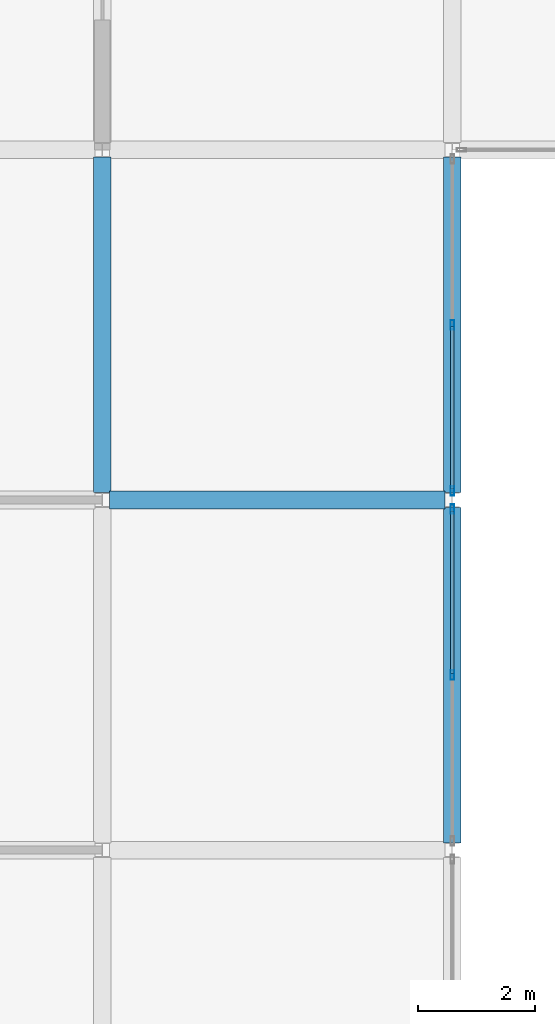
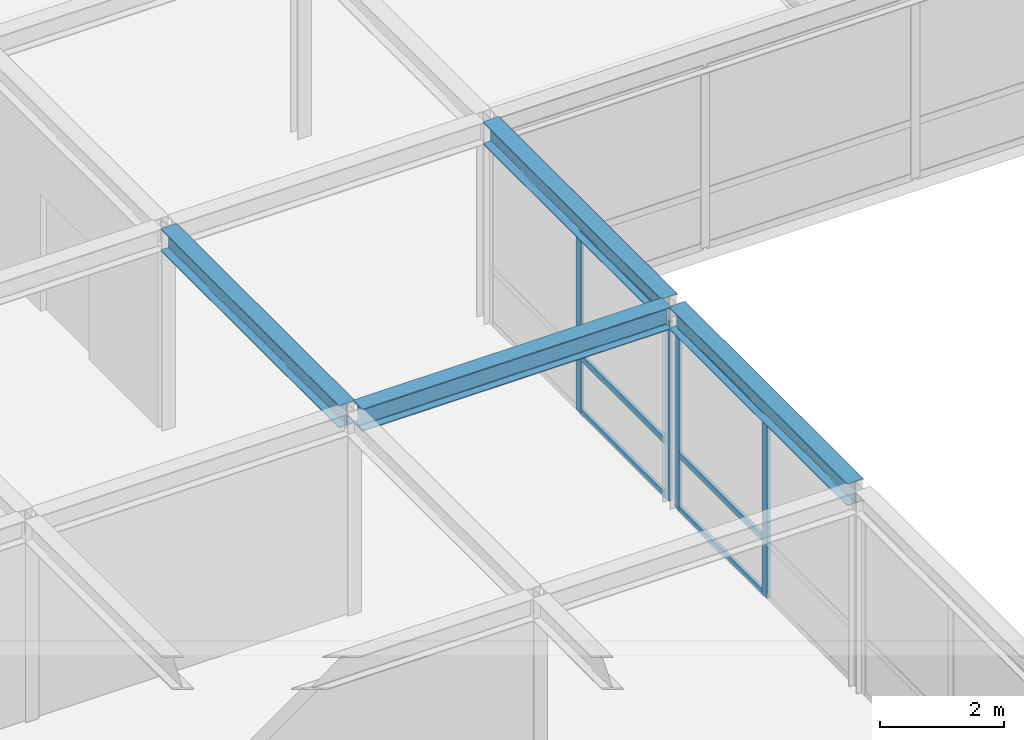
# One storey, part 69 of 111: 10 members, 4 beams, 2 elements without a shape of their own.
"""IFC4 building model written with IfcOpenShell, lengths in metres."""

from ifc_helpers import new_model, si_unit, direction, frame, origin, origin_2d, place, context, subcontext, project, spatial, hollow_rectangle, i_section, extrude, material, layer, layer_set, material_profile, profile_set, type_object, element, aggregate, save


model = new_model("IFC4")

# Units and contexts
model_context = context("Model", 3, precision=1e-05, world=origin(), true_north=direction((0.0, 1.0)))
body_context = subcontext(model_context, "Body", "Model", "MODEL_VIEW")
ifc_project = project(units=[si_unit("LENGTHUNIT", "METRE"), si_unit("AREAUNIT", "SQUARE_METRE"), si_unit("VOLUMEUNIT", "CUBIC_METRE"), si_unit("PLANEANGLEUNIT", "RADIAN"), si_unit("MASSUNIT", "GRAM", prefix="KILO")], contexts=[model_context])

# Site, building, storey
site_placement = place(None, origin())
site = spatial("IfcSite", under=ifc_project, at=site_placement, CompositionType="ELEMENT")
building_placement = place(site_placement, origin())
building = spatial("IfcBuilding", under=site, at=building_placement, Name="Zlatovratsky Civic Hall", CompositionType="ELEMENT")
storey_placement = place(building_placement, frame((0.0, 0.0, 16.5)))
storey = spatial("IfcBuildingStorey", under=building, at=storey_placement, Name="L04", CompositionType="ELEMENT", Elevation=16.5)

# Beams
ifc_material_1 = material(Name="Steel S355", Category="steel")
ifc_material_profile_1 = material_profile(ifc_material_1, i_section(OverallWidth=0.300048828125, OverallDepth=0.43994140625, WebThickness=0.010986328125, FlangeThickness=0.01806640625, FilletRadius=0.02197265625, at=origin_2d()), Name="45Sh1")
ifc_profile_set_1 = profile_set([ifc_material_profile_1], Name="Steel S355")
beam_type = type_object("IfcBeamType", Name="Beam_TowerLow_45Sh1", PredefinedType="BEAM", material=ifc_profile_set_1)
for number, where, z_axis, x_axis, name in (
    (1, (114.125, 60.0, 3.780029296875), (1.0, 0.0, 0.0), (0.0, 1.0, 0.0), "BM-3327"),
    (2, (114.0, 60.125, 3.780029296875), (0.0, 1.0, 0.0), (-1.0, 0.0, 0.0), "BM-3730"),
    (3, (120.0, 54.125, 3.780029296875), (0.0, 1.0, 0.0), (-1.0, 0.0, 0.0), "BM-3746"),
    (4, (120.0, 60.125, 3.780029296875), (0.0, 1.0, 0.0), (-1.0, 0.0, 0.0), "BM-3747"),
):
    element("IfcBeam", number, at=place(storey_placement, frame(where, z_axis=z_axis, x_axis=x_axis)), inside=storey, type_object=beam_type, Name=name, PredefinedType="BEAM", context=body_context, shape_type="SweptSolid", body=[
        extrude(i_section(OverallWidth=0.300048828125, OverallDepth=0.43994140625, WebThickness=0.010986328125, FlangeThickness=0.01806640625, FilletRadius=0.02197265625, at=origin_2d()), origin(), (0.0, 0.0, 1.0), 5.75),
    ])

# Curtain wall, members
ifc_material_2 = material(Name="Anodised bronze aluminium", Category="aluminium")
ifc_layer = layer(ifc_material_2, 0.159912109375)
ifc_layer_set = layer_set([ifc_layer], Name="Anodised bronze aluminium")
curtain_wall_type = type_object("IfcCurtainWallType", Name="CurtainWall_Bronze_5750x3550_18", PredefinedType="NOTDEFINED", material=ifc_layer_set)
curtain_wall_1_placement = place(storey_placement, origin())
curtain_wall_1 = element("IfcCurtainWall", 5, at=curtain_wall_1_placement, inside=storey, type_object=curtain_wall_type, Name="CW-121", PredefinedType="NOTDEFINED")
ifc_material_profile_2 = material_profile(ifc_material_2, hollow_rectangle(XDim=0.06005859375, YDim=0.159912109375, WallThickness=0.00390625, at=origin_2d()), Name="ALU 60x160x4")
ifc_profile_set_2 = profile_set([ifc_material_profile_2], Name="Anodised bronze aluminium")
member_type_1 = type_object("IfcMemberType", Name="CW_Mullion_60x160", PredefinedType="MULLION", material=ifc_profile_set_2)
member_1_placement = place(storey_placement, frame((120.0, 57.0, 0.0), z_axis=(0.0, 0.0, 1.0), x_axis=(-1.0, 0.0, 0.0)))
member_1 = element("IfcMember", 6, at=member_1_placement, type_object=member_type_1, Name="CW-18 mullion 2", PredefinedType="MULLION", context=body_context, shape_type="SweptSolid", body=[
    extrude(hollow_rectangle(XDim=0.06005859375, YDim=0.159912109375, WallThickness=0.00390625, at=origin_2d()), origin(), (0.0, 0.0, 1.0), 3.550048828125),
])
member_2_placement = place(storey_placement, frame((120.0, 59.844970703125, 0.0), z_axis=(0.0, 0.0, 1.0), x_axis=(-1.0, 0.0, 0.0)))
member_2 = element("IfcMember", 7, at=member_2_placement, type_object=member_type_1, Name="CW-18 mullion 3", PredefinedType="MULLION", context=body_context, shape_type="SweptSolid", body=[
    extrude(hollow_rectangle(XDim=0.06005859375, YDim=0.159912109375, WallThickness=0.00390625, at=origin_2d()), origin(), (0.0, 0.0, 1.0), 3.550048828125),
])

curtain_wall_2_placement = place(storey_placement, origin())
curtain_wall_2 = element("IfcCurtainWall", 8, at=curtain_wall_2_placement, inside=storey, type_object=curtain_wall_type, Name="CW-122", PredefinedType="NOTDEFINED")
member_3_placement = place(storey_placement, frame((120.0, 60.155029296875, 0.0), z_axis=(0.0, 0.0, 1.0), x_axis=(-1.0, 0.0, 0.0)))
member_3 = element("IfcMember", 9, at=member_3_placement, type_object=member_type_1, Name="CW-18 mullion 1", PredefinedType="MULLION", context=body_context, shape_type="SweptSolid", body=[
    extrude(hollow_rectangle(XDim=0.06005859375, YDim=0.159912109375, WallThickness=0.00390625, at=origin_2d()), origin(), (0.0, 0.0, 1.0), 3.550048828125),
])
member_4_placement = place(storey_placement, frame((120.0, 63.0, 0.0), z_axis=(0.0, 0.0, 1.0), x_axis=(-1.0, 0.0, 0.0)))
member_4 = element("IfcMember", 10, at=member_4_placement, type_object=member_type_1, Name="CW-18 mullion 2", PredefinedType="MULLION", context=body_context, shape_type="SweptSolid", body=[
    extrude(hollow_rectangle(XDim=0.06005859375, YDim=0.159912109375, WallThickness=0.00390625, at=origin_2d()), origin(), (0.0, 0.0, 1.0), 3.550048828125),
])

# Member
ifc_material_profile_3 = material_profile(ifc_material_2, hollow_rectangle(XDim=0.06005859375, YDim=0.1201171875, WallThickness=0.00390625, at=origin_2d()), Name="ALU 60x120x4")
ifc_profile_set_3 = profile_set([ifc_material_profile_3], Name="Anodised bronze aluminium")
member_type_2 = type_object("IfcMemberType", Name="CW_Transom_60x120", PredefinedType="USERDEFINED", material=ifc_profile_set_3)
member_5_placement = place(storey_placement, frame((120.0, 57.030029296875, 0.030029296875), z_axis=(0.0, 1.0, 0.0), x_axis=(-1.0, 0.0, 0.0)))
member_5 = element("IfcMember", 11, at=member_5_placement, type_object=member_type_2, Name="CW-18 transom 2.1", ObjectType="TRANSOM", PredefinedType="USERDEFINED", context=body_context, shape_type="SweptSolid", body=[
    extrude(hollow_rectangle(XDim=0.06005859375, YDim=0.1201171875, WallThickness=0.00390625, at=origin_2d()), origin(), (0.0, 0.0, 1.0), 2.784912109375),
])

member_6_placement = place(storey_placement, frame((120.0, 57.030029296875, 1.10009765625), z_axis=(0.0, 1.0, 0.0), x_axis=(-1.0, 0.0, 0.0)))
member_6 = element("IfcMember", 12, at=member_6_placement, type_object=member_type_2, Name="CW-18 transom 2.2", ObjectType="TRANSOM", PredefinedType="USERDEFINED", context=body_context, shape_type="SweptSolid", body=[
    extrude(hollow_rectangle(XDim=0.06005859375, YDim=0.1201171875, WallThickness=0.00390625, at=origin_2d()), origin(), (0.0, 0.0, 1.0), 2.784912109375),
])

member_7_placement = place(storey_placement, frame((120.0, 57.030029296875, 3.52001953125), z_axis=(0.0, 1.0, 0.0), x_axis=(-1.0, 0.0, 0.0)))
member_7 = element("IfcMember", 13, at=member_7_placement, type_object=member_type_2, Name="CW-18 transom 2.3", ObjectType="TRANSOM", PredefinedType="USERDEFINED", context=body_context, shape_type="SweptSolid", body=[
    extrude(hollow_rectangle(XDim=0.06005859375, YDim=0.1201171875, WallThickness=0.00390625, at=origin_2d()), origin(), (0.0, 0.0, 1.0), 2.784912109375),
])

aggregate(curtain_wall_1, [member_1, member_2, member_5, member_6, member_7])

member_8_placement = place(storey_placement, frame((120.0, 60.18505859375, 0.030029296875), z_axis=(0.0, 1.0, 0.0), x_axis=(-1.0, 0.0, 0.0)))
member_8 = element("IfcMember", 14, at=member_8_placement, type_object=member_type_2, Name="CW-18 transom 1.1", ObjectType="TRANSOM", PredefinedType="USERDEFINED", context=body_context, shape_type="SweptSolid", body=[
    extrude(hollow_rectangle(XDim=0.06005859375, YDim=0.1201171875, WallThickness=0.00390625, at=origin_2d()), origin(), (0.0, 0.0, 1.0), 2.784912109375),
])

member_9_placement = place(storey_placement, frame((120.0, 60.18505859375, 1.10009765625), z_axis=(0.0, 1.0, 0.0), x_axis=(-1.0, 0.0, 0.0)))
member_9 = element("IfcMember", 15, at=member_9_placement, type_object=member_type_2, Name="CW-18 transom 1.2", ObjectType="TRANSOM", PredefinedType="USERDEFINED", context=body_context, shape_type="SweptSolid", body=[
    extrude(hollow_rectangle(XDim=0.06005859375, YDim=0.1201171875, WallThickness=0.00390625, at=origin_2d()), origin(), (0.0, 0.0, 1.0), 2.784912109375),
])

member_10_placement = place(storey_placement, frame((120.0, 60.18505859375, 3.52001953125), z_axis=(0.0, 1.0, 0.0), x_axis=(-1.0, 0.0, 0.0)))
member_10 = element("IfcMember", 16, at=member_10_placement, type_object=member_type_2, Name="CW-18 transom 1.3", ObjectType="TRANSOM", PredefinedType="USERDEFINED", context=body_context, shape_type="SweptSolid", body=[
    extrude(hollow_rectangle(XDim=0.06005859375, YDim=0.1201171875, WallThickness=0.00390625, at=origin_2d()), origin(), (0.0, 0.0, 1.0), 2.784912109375),
])

aggregate(curtain_wall_2, [member_3, member_4, member_8, member_9, member_10])

save(model, "model.ifc")
